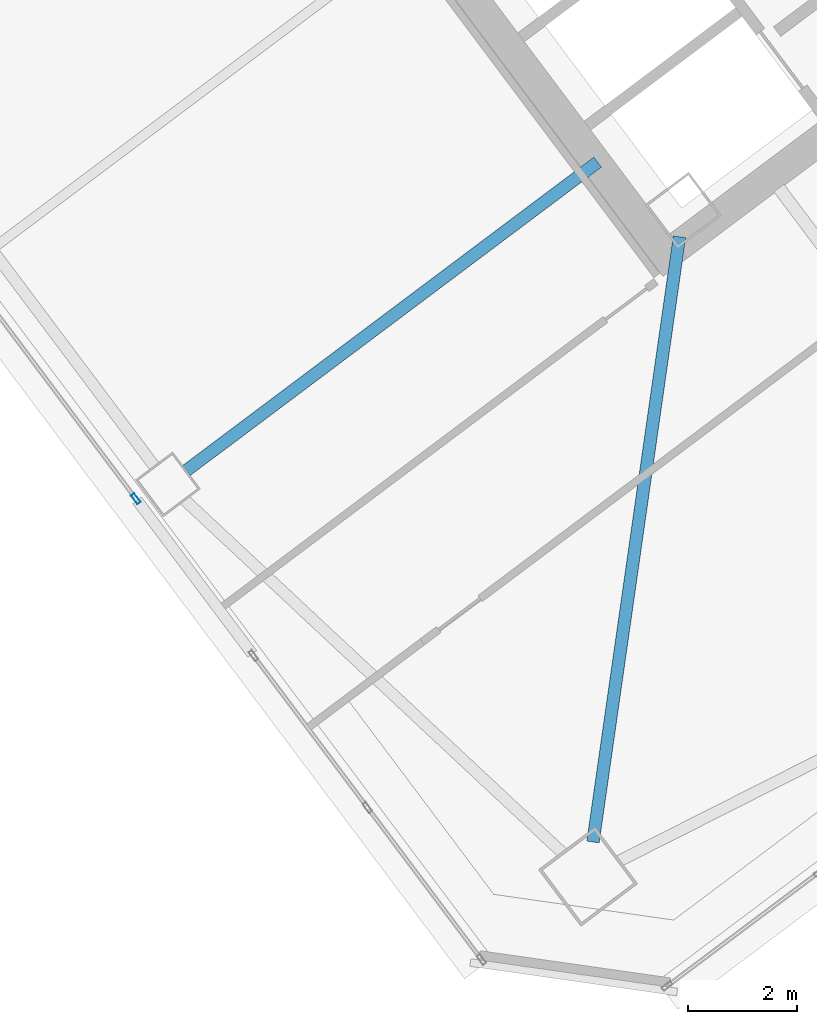
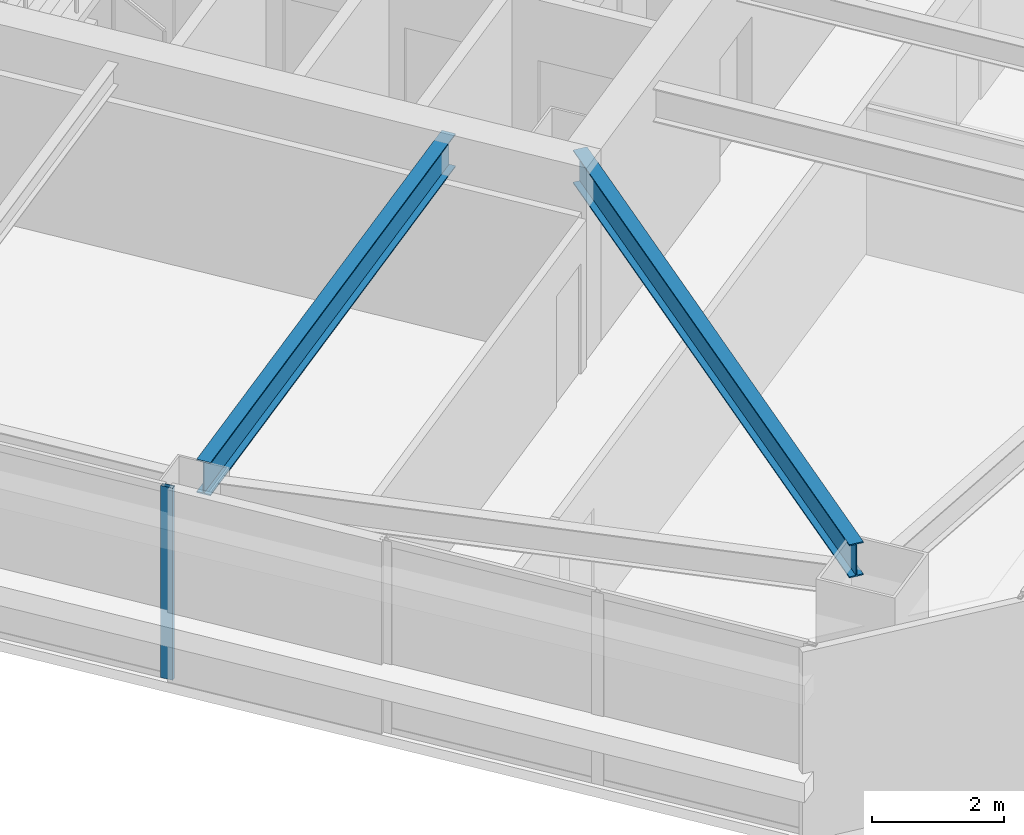
# One storey, part 19 of 46: 2 beams, 1 member, 1 element without a shape of its own.
"""IFC4 building model written with IfcOpenShell, lengths in metres."""

from ifc_helpers import new_model, si_unit, direction, frame, origin, origin_2d, place, context, subcontext, project, spatial, hollow_rectangle, i_section, extrude, material, material_profile, profile_set, type_object, element, aggregate, save


model = new_model("IFC4")

# Units and contexts
model_context = context("Model", 3, precision=1e-05, world=origin(), true_north=direction((0.0, 1.0)))
body_context = subcontext(model_context, "Body", "Model", "MODEL_VIEW")
ifc_project = project(units=[si_unit("LENGTHUNIT", "METRE"), si_unit("AREAUNIT", "SQUARE_METRE"), si_unit("VOLUMEUNIT", "CUBIC_METRE"), si_unit("PLANEANGLEUNIT", "RADIAN"), si_unit("MASSUNIT", "GRAM", prefix="KILO")], contexts=[model_context])

# Site, building, storey
site_placement = place(None, origin())
site = spatial("IfcSite", under=ifc_project, at=site_placement, CompositionType="ELEMENT")
building_placement = place(site_placement, origin())
building = spatial("IfcBuilding", under=site, at=building_placement, Name="Tashvorn Skyway Center", CompositionType="ELEMENT")
storey_placement = place(building_placement, frame((0.0, 0.0, 132.14990234375)))
storey = spatial("IfcBuildingStorey", under=building, at=storey_placement, Name="L35", CompositionType="ELEMENT", Elevation=132.14990234375)

# Beams
ifc_material_1 = material(Name="Steel ASTM A992 Grade 50", Category="steel")
ifc_material_profile_1 = material_profile(ifc_material_1, i_section(OverallWidth=0.22998046875, OverallDepth=0.616943359375, WebThickness=0.01318359375, FlangeThickness=0.022216796875, at=origin_2d()), Name="W24X94")
ifc_profile_set_1 = profile_set([ifc_material_profile_1], Name="Steel ASTM A992 Grade 50")
beam_type = type_object("IfcBeamType", Name="BM-BEAM-W24X94", PredefinedType="BEAM", material=ifc_profile_set_1)
beam_1_placement = place(storey_placement, frame((110.93115234375, 10.5185546875, 3.0615234375), z_axis=(0.141430483583, 0.989948189712, 0.0), x_axis=(-0.989948189712, 0.141430483583, 0.0)))
element("IfcBeam", 1, at=beam_1_placement, inside=storey, type_object=beam_type, Name="Tower 2 L35 Primary Floor Girder MC-SW", PredefinedType="BEAM", context=body_context, shape_type="SweptSolid", body=[
    extrude(i_section(OverallWidth=0.22998046875, OverallDepth=0.616943359375, WebThickness=0.01318359375, FlangeThickness=0.022216796875, at=origin_2d()), origin(), (0.0, 0.0, 1.0), 11.234375),
])
beam_2_placement = place(storey_placement, frame((103.4560546875, 17.342041015625, 3.0615234375), z_axis=(0.800006200354, 0.599991732772, 0.0), x_axis=(-0.599991732772, 0.800006200354, 0.0)))
element("IfcBeam", 2, at=beam_2_placement, inside=storey, type_object=beam_type, Name="Tower 2 L35 Primary Floor Girder FC-W2", PredefinedType="BEAM", context=body_context, shape_type="SweptSolid", body=[
    extrude(i_section(OverallWidth=0.22998046875, OverallDepth=0.616943359375, WebThickness=0.01318359375, FlangeThickness=0.022216796875, at=origin_2d()), origin(), (0.0, 0.0, 1.0), 9.449951171875),
])

# Curtain wall, member
ifc_material_2 = material(Name="Thermally broken bronze-anodized aluminium 6063-T6", Category="aluminium")
curtain_wall_type = type_object("IfcCurtainWallType", Name="CW-CW-Z3", PredefinedType="NOTDEFINED", material=ifc_material_2)
curtain_wall_placement = place(storey_placement, origin())
curtain_wall = element("IfcCurtainWall", 3, at=curtain_wall_placement, inside=storey, type_object=curtain_wall_type, Name="Tower 2 L35 West Unitised Curtain Wall Glazing Group 2", PredefinedType="NOTDEFINED")
ifc_material_profile_2 = material_profile(ifc_material_2, hollow_rectangle(XDim=0.074951171875, YDim=0.199951171875, WallThickness=0.00439453125, at=origin_2d()), Name="ALU-MULL-75x200")
ifc_profile_set_2 = profile_set([ifc_material_profile_2], Name="Thermally broken bronze-anodized aluminium 6063-T6")
member_type = type_object("IfcMemberType", Name="CWM-CW-Z3", PredefinedType="MULLION", material=ifc_profile_set_2)
member_placement = place(storey_placement, frame((102.529541015625, 16.827392578125, 0.0), z_axis=(0.0, 0.0, 1.0), x_axis=(-0.800002266987, -0.599996977339, 0.0)))
member = element("IfcMember", 4, at=member_placement, type_object=member_type, Name="CW-Z3 mullion 1", PredefinedType="MULLION", context=body_context, shape_type="SweptSolid", body=[
    extrude(hollow_rectangle(XDim=0.074951171875, YDim=0.199951171875, WallThickness=0.00439453125, at=origin_2d()), origin(), (0.0, 0.0, 1.0), 3.550048828125),
])
aggregate(curtain_wall, [member])

save(model, "model.ifc")
